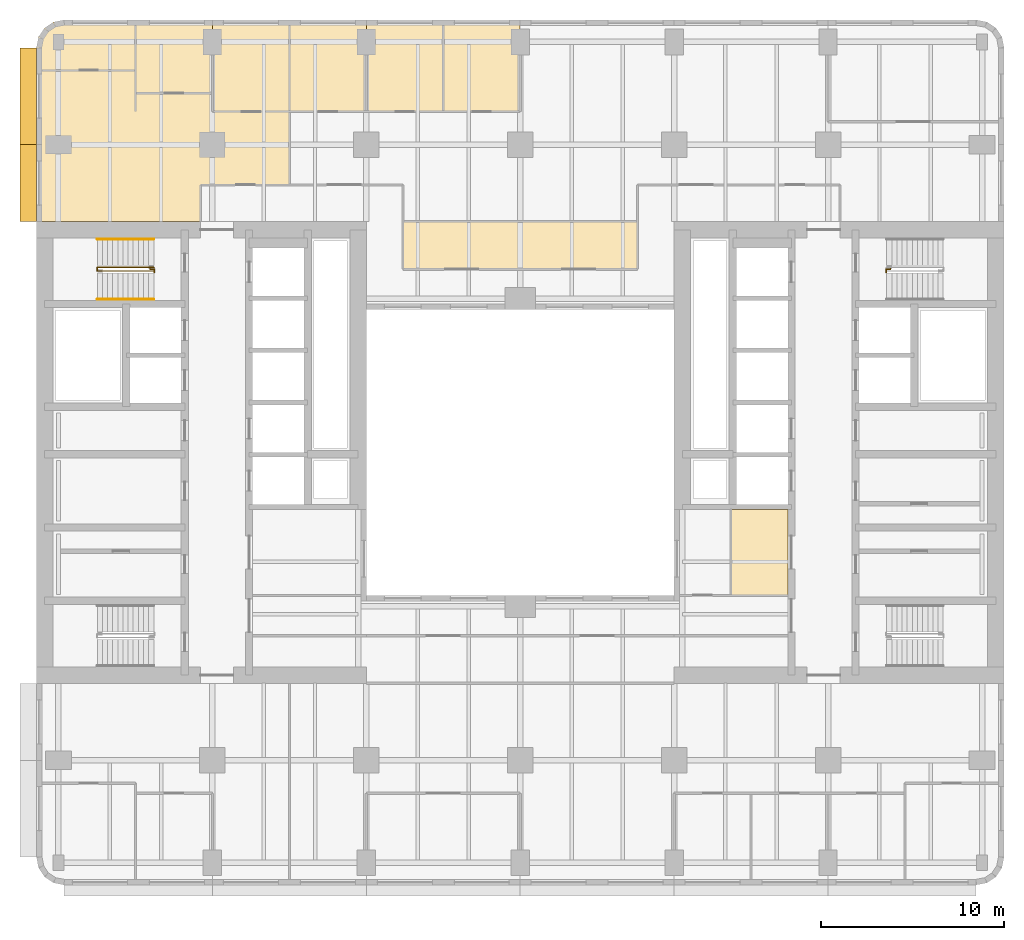
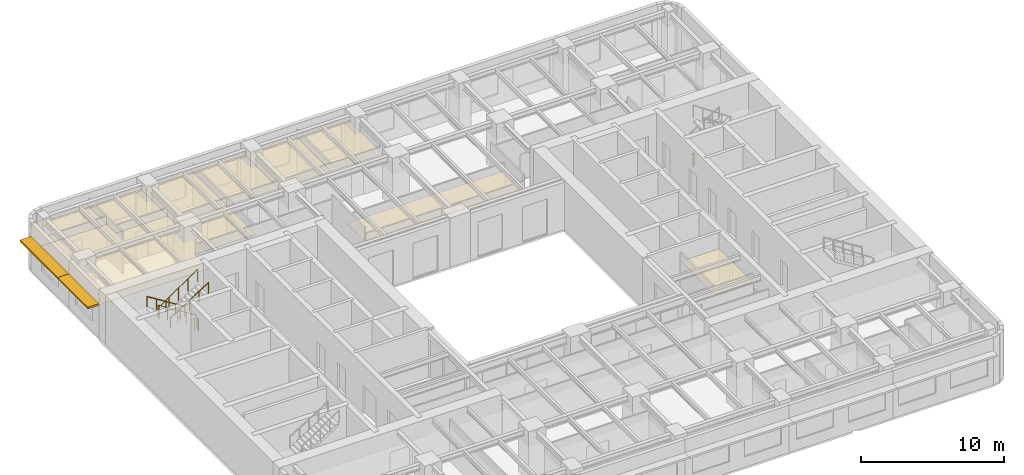
# One storey, part 10 of 11: 9 coverings, 5 railings, 2 shading devices.
"""IFC4 building model written with IfcOpenShell, lengths in metres."""

from ifc_helpers import new_model, si_unit, direction, frame, origin, origin_2d, place, context, subcontext, project, spatial, polyline, rectangle, circle, outline, extrude, material, layer, layer_set, type_object, element, save


model = new_model("IFC4")

# Units and contexts
model_context = context("Model", 3, precision=1e-05, world=origin(), true_north=direction((0.0, 1.0)))
body_context = subcontext(model_context, "Body", "Model", "MODEL_VIEW")
ifc_project = project(units=[si_unit("LENGTHUNIT", "METRE"), si_unit("AREAUNIT", "SQUARE_METRE"), si_unit("VOLUMEUNIT", "CUBIC_METRE"), si_unit("PLANEANGLEUNIT", "RADIAN"), si_unit("MASSUNIT", "GRAM", prefix="KILO")], contexts=[model_context])

# Site, building, storey
site_placement = place(None, origin())
site = spatial("IfcSite", under=ifc_project, at=site_placement, CompositionType="ELEMENT")
building_placement = place(site_placement, origin())
building = spatial("IfcBuilding", under=site, at=building_placement, Name="Claustro Exchange Tower", CompositionType="ELEMENT")
storey_placement = place(building_placement, frame((0.0, 0.0, 126.0)))
storey = spatial("IfcBuildingStorey", under=building, at=storey_placement, Name="L28", CompositionType="ELEMENT", Elevation=126.0)

# Coverings
ifc_material_1 = material(Name="Perforated metal ceiling tiles", Category="steel")
ifc_layer_1 = layer(ifc_material_1, 0.030029296875)
ifc_layer_set_1 = layer_set([ifc_layer_1], Name="Perforated metal ceiling tiles")
covering_type_1 = type_object("IfcCoveringType", Name="CL1 suspended metal ceiling", PredefinedType="CEILING", material=ifc_layer_set_1)
covering_1_placement = place(storey_placement, frame((0.0, 0.0, 2.800048828125)))
element("IfcCovering", 1, at=covering_1_placement, inside=storey, type_object=covering_type_1, Name="Ceiling CL1 L28-17", PredefinedType="CEILING", context=body_context, shape_type="SweptSolid", body=[
    extrude(outline(polyline([(-1.199951171875, 46.050048828125), (-1.199951171875, 37.800048828125), (7.75, 37.800048828125), (7.75, 39.800048828125), (12.60009765625, 39.800048828125), (12.60009765625, 43.800048828125), (8.39990234375, 43.800048828125), (8.39990234375, 44.800048828125), (4.199951171875, 44.800048828125), (4.199951171875, 46.050048828125), (-1.199951171875, 46.050048828125)])), origin(), (0.0, 0.0, 1.0), 0.030029296875),
])
ifc_material_2 = material(Name="Gypsum board ceiling", Category="gypsum board")
ifc_layer_2 = layer(ifc_material_2, 0.02490234375)
ifc_layer_set_2 = layer_set([ifc_layer_2], Name="Gypsum board ceiling")
covering_type_2 = type_object("IfcCoveringType", Name="CL2 plasterboard ceiling", PredefinedType="CEILING", material=ifc_layer_set_2)
covering_2_placement = place(storey_placement, frame((0.0, 0.0, 2.800048828125)))
element("IfcCovering", 2, at=covering_2_placement, inside=storey, type_object=covering_type_2, Name="Ceiling CL2 L28-14", PredefinedType="CEILING", context=body_context, shape_type="SweptSolid", body=[
    extrude(outline(polyline([(39.800048828125, 17.39990234375), (39.800048828125, 22.10009765625), (36.699951171875, 22.10009765625), (36.699951171875, 17.39990234375), (39.800048828125, 17.39990234375)])), origin(), (0.0, 0.0, 1.0), 0.02490234375),
])
covering_3_placement = place(storey_placement, frame((0.0, 0.0, 2.800048828125)))
element("IfcCovering", 3, at=covering_3_placement, inside=storey, type_object=covering_type_2, Name="Ceiling CL2 L28-15", PredefinedType="CEILING", context=body_context, shape_type="SweptSolid", body=[
    extrude(outline(polyline([(18.800048828125, 35.199951171875), (31.60009765625, 35.199951171875), (31.60009765625, 37.800048828125), (18.800048828125, 37.800048828125), (18.800048828125, 35.199951171875)])), origin(), (0.0, 0.0, 1.0), 0.02490234375),
])
covering_4_placement = place(storey_placement, frame((0.0, 0.0, 2.800048828125)))
element("IfcCovering", 4, at=covering_4_placement, inside=storey, type_object=covering_type_2, Name="Ceiling CL2 L28-20", PredefinedType="CEILING", context=body_context, shape_type="SweptSolid", body=[
    extrude(outline(polyline([(12.60009765625, 48.800048828125), (8.39990234375, 48.800048828125), (8.39990234375, 43.800048828125), (12.60009765625, 43.800048828125), (12.60009765625, 48.800048828125)])), origin(), (0.0, 0.0, 1.0), 0.02490234375),
])
covering_5_placement = place(storey_placement, frame((0.0, 0.0, 2.800048828125)))
element("IfcCovering", 5, at=covering_5_placement, inside=storey, type_object=covering_type_2, Name="Ceiling CL2 L28-21", PredefinedType="CEILING", context=body_context, shape_type="SweptSolid", body=[
    extrude(outline(polyline([(16.800048828125, 48.800048828125), (12.60009765625, 48.800048828125), (12.60009765625, 43.800048828125), (16.800048828125, 43.800048828125), (16.800048828125, 48.800048828125)])), origin(), (0.0, 0.0, 1.0), 0.02490234375),
])
covering_6_placement = place(storey_placement, frame((0.0, 0.0, 2.800048828125)))
element("IfcCovering", 6, at=covering_6_placement, inside=storey, type_object=covering_type_2, Name="Ceiling CL2 L28-22", PredefinedType="CEILING", context=body_context, shape_type="SweptSolid", body=[
    extrude(outline(polyline([(21.0, 48.800048828125), (16.800048828125, 48.800048828125), (16.800048828125, 43.800048828125), (21.0, 43.800048828125), (21.0, 48.800048828125)])), origin(), (0.0, 0.0, 1.0), 0.02490234375),
])
covering_7_placement = place(storey_placement, frame((0.0, 0.0, 2.800048828125)))
element("IfcCovering", 7, at=covering_7_placement, inside=storey, type_object=covering_type_2, Name="Ceiling CL2 L28-23", PredefinedType="CEILING", context=body_context, shape_type="SweptSolid", body=[
    extrude(outline(polyline([(25.199951171875, 48.800048828125), (21.0, 48.800048828125), (21.0, 43.800048828125), (25.199951171875, 43.800048828125), (25.199951171875, 48.800048828125)])), origin(), (0.0, 0.0, 1.0), 0.02490234375),
])
covering_8_placement = place(storey_placement, frame((0.0, 0.0, 2.800048828125)))
element("IfcCovering", 8, at=covering_8_placement, inside=storey, type_object=covering_type_2, Name="Ceiling CL2 L28-24", PredefinedType="CEILING", context=body_context, shape_type="SweptSolid", body=[
    extrude(outline(polyline([(8.39990234375, 48.800048828125), (4.199951171875, 48.800048828125), (4.199951171875, 44.800048828125), (8.39990234375, 44.800048828125), (8.39990234375, 48.800048828125)])), origin(), (0.0, 0.0, 1.0), 0.02490234375),
])
covering_9_placement = place(storey_placement, frame((0.0, 0.0, 2.800048828125)))
element("IfcCovering", 9, at=covering_9_placement, inside=storey, type_object=covering_type_2, Name="Ceiling CL2 L28-25", PredefinedType="CEILING", context=body_context, shape_type="SweptSolid", body=[
    extrude(outline(polyline([(-1.199951171875, 47.300048828125), (-1.199951171875, 46.050048828125), (4.199951171875, 46.050048828125), (4.199951171875, 48.800048828125), (0.300048828125, 48.800048828125), (-0.27392578125, 48.685791015625), (-0.7607421875, 48.360595703125), (-1.085693359375, 47.8740234375), (-1.199951171875, 47.300048828125)])), origin(), (0.0, 0.0, 1.0), 0.02490234375),
])

# Railings
ifc_material_3 = material(Name="Steel balustrade, painted", Category="steel")
railing_type_1 = type_object("IfcRailingType", Name="GR2 1100 steel stair guard", PredefinedType="GUARDRAIL", material=ifc_material_3)
railing_1_placement = place(storey_placement, frame((5.199951171875, 35.300048828125, 0.175048828125)))
element("IfcRailing", 10, at=railing_1_placement, inside=storey, type_object=railing_type_1, Name="Stair well guard GR2 stair STWB L28", PredefinedType="GUARDRAIL", context=body_context, shape_type="SweptSolid", body=[
    extrude(circle(Radius=0.02392578125, at=origin_2d()), frame((0.0, 0.0, 1.076171875), z_axis=(-0.847979421464, 0.0, 0.530029150871), x_axis=(0.0, -1.0, 0.0)), (0.0, 0.0, 1.0), 3.632080078125),
    extrude(circle(Radius=0.02392578125, at=origin_2d()), frame((-3.079833984375, 0.0, 3.0009765625), z_axis=(0.0, -1.0, 0.0), x_axis=(1.0, 0.0, 0.0)), (0.0, 0.0, 1.0), 0.199951171875),
    extrude(circle(Radius=0.02392578125, at=origin_2d()), frame((-3.079833984375, -0.199951171875, 3.0009765625), z_axis=(0.826231499792, 0.0, 0.563330727682), x_axis=(0.0, 1.0, 0.0)), (0.0, 0.0, 1.0), 3.7275390625),
    extrude(circle(Radius=0.02099609375, at=origin_2d()), origin(), (0.0, 0.0, 1.0), 1.052001953125),
    extrude(circle(Radius=0.02099609375, at=origin_2d()), frame((-0.77001953125, 0.0, 0.481201171875)), (0.0, 0.0, 1.0), 1.052001953125),
    extrude(circle(Radius=0.02099609375, at=origin_2d()), frame((-1.5400390625, 0.0, 0.96240234375)), (0.0, 0.0, 1.0), 1.052001953125),
    extrude(circle(Radius=0.02099609375, at=origin_2d()), frame((-2.309814453125, 0.0, 1.44384765625)), (0.0, 0.0, 1.0), 1.052001953125),
    extrude(circle(Radius=0.02099609375, at=origin_2d()), frame((-3.079833984375, 0.0, 1.925048828125)), (0.0, 0.0, 1.0), 1.052001953125),
    extrude(circle(Radius=0.02099609375, at=origin_2d()), frame((-3.079833984375, -0.199951171875, 1.925048828125)), (0.0, 0.0, 1.0), 1.052001953125),
    extrude(circle(Radius=0.02099609375, at=origin_2d()), frame((-2.309814453125, -0.199951171875, 2.449951171875)), (0.0, 0.0, 1.0), 1.052001953125),
    extrude(circle(Radius=0.02099609375, at=origin_2d()), frame((-1.5400390625, -0.199951171875, 2.97509765625)), (0.0, 0.0, 1.0), 1.052001953125),
    extrude(circle(Radius=0.02099609375, at=origin_2d()), frame((-0.77001953125, -0.199951171875, 3.5)), (0.0, 0.0, 1.0), 1.052001953125),
    extrude(circle(Radius=0.02099609375, at=origin_2d()), frame((0.0, -0.199951171875, 4.02490234375)), (0.0, 0.0, 1.0), 1.052001953125),
])
railing_2_placement = place(storey_placement, frame((5.0, 35.22998046875, 0.0)))
element("IfcRailing", 11, at=railing_2_placement, inside=storey, type_object=railing_type_1, Name="Stair guard GR2 STWB L28", PredefinedType="GUARDRAIL", context=body_context, shape_type="SweptSolid", body=[
    extrude(circle(Radius=0.02392578125, at=origin_2d()), frame((0.0, 0.0, 1.076171875), z_axis=(0.0, -1.0, 0.0), x_axis=(1.0, 0.0, 0.0)), (0.0, 0.0, 1.0), 0.030029296875),
    extrude(circle(Radius=0.02392578125, at=origin_2d()), frame((0.0, -0.030029296875, 1.076171875), z_axis=(1.0, 0.0, 0.0), x_axis=(0.0, 1.0, 0.0)), (0.0, 0.0, 1.0), 0.22509765625),
    extrude(circle(Radius=0.02392578125, at=origin_2d()), frame((0.22509765625, -0.030029296875, 1.076171875), z_axis=(0.0, -1.0, 0.0), x_axis=(1.0, 0.0, 0.0)), (0.0, 0.0, 1.0), 0.179931640625),
    extrude(circle(Radius=0.02099609375, at=origin_2d()), origin(), (0.0, 0.0, 1.0), 1.052001953125),
    extrude(circle(Radius=0.02099609375, at=origin_2d()), frame((0.0, -0.030029296875, 0.0)), (0.0, 0.0, 1.0), 1.052001953125),
    extrude(circle(Radius=0.02099609375, at=origin_2d()), frame((0.22509765625, -0.030029296875, 0.0)), (0.0, 0.0, 1.0), 1.052001953125),
    extrude(circle(Radius=0.02099609375, at=origin_2d()), frame((0.22509765625, -0.2099609375, 0.0)), (0.0, 0.0, 1.0), 1.052001953125),
])
railing_3_placement = place(storey_placement, frame((45.39990234375, 35.22998046875, 0.0)))
element("IfcRailing", 12, at=railing_3_placement, inside=storey, type_object=railing_type_1, Name="Stair guard GR2 STEB L28", PredefinedType="GUARDRAIL", context=body_context, shape_type="SweptSolid", body=[
    extrude(circle(Radius=0.02392578125, at=origin_2d()), frame((0.0, 0.0, 1.076171875), z_axis=(0.0, -1.0, 0.0), x_axis=(1.0, 0.0, 0.0)), (0.0, 0.0, 1.0), 0.030029296875),
    extrude(circle(Radius=0.02392578125, at=origin_2d()), frame((0.0, -0.030029296875, 1.076171875), z_axis=(-1.0, 0.0, 0.0), x_axis=(0.0, -1.0, 0.0)), (0.0, 0.0, 1.0), 0.224853515625),
    extrude(circle(Radius=0.02392578125, at=origin_2d()), frame((-0.224853515625, -0.030029296875, 1.076171875), z_axis=(0.0, -1.0, 0.0), x_axis=(1.0, 0.0, 0.0)), (0.0, 0.0, 1.0), 0.179931640625),
    extrude(circle(Radius=0.02099609375, at=origin_2d()), origin(), (0.0, 0.0, 1.0), 1.052001953125),
    extrude(circle(Radius=0.02099609375, at=origin_2d()), frame((0.0, -0.030029296875, 0.0)), (0.0, 0.0, 1.0), 1.052001953125),
    extrude(circle(Radius=0.02099609375, at=origin_2d()), frame((-0.224853515625, -0.030029296875, 0.0)), (0.0, 0.0, 1.0), 1.052001953125),
    extrude(circle(Radius=0.02099609375, at=origin_2d()), frame((-0.224853515625, -0.2099609375, 0.0)), (0.0, 0.0, 1.0), 1.052001953125),
])
ifc_material_4 = material(Name="Stainless steel tube", Category="steel")
railing_type_2 = type_object("IfcRailingType", Name="HR1 900 stair handrail", PredefinedType="HANDRAIL", material=ifc_material_4)
railing_4_placement = place(storey_placement, frame((5.199951171875, 36.840087890625, 0.175048828125)))
element("IfcRailing", 13, at=railing_4_placement, inside=storey, type_object=railing_type_2, Name="Handrail HR1 stair STWB L28", PredefinedType="HANDRAIL", context=body_context, shape_type="SweptSolid", body=[
    extrude(circle(Radius=0.02392578125, at=origin_2d()), frame((0.0, 0.0, 0.8759765625), z_axis=(-0.847979421464, 0.0, 0.530029150871), x_axis=(0.0, -1.0, 0.0)), (0.0, 0.0, 1.0), 3.632080078125),
    extrude(circle(Radius=0.02099609375, at=origin_2d()), origin(), (0.0, 0.0, 1.0), 0.851806640625),
    extrude(circle(Radius=0.02099609375, at=origin_2d()), frame((-0.77001953125, 0.0, 0.481201171875)), (0.0, 0.0, 1.0), 0.851806640625),
    extrude(circle(Radius=0.02099609375, at=origin_2d()), frame((-1.5400390625, 0.0, 0.96240234375)), (0.0, 0.0, 1.0), 0.851806640625),
    extrude(circle(Radius=0.02099609375, at=origin_2d()), frame((-2.309814453125, 0.0, 1.44384765625)), (0.0, 0.0, 1.0), 0.851806640625),
    extrude(circle(Radius=0.02099609375, at=origin_2d()), frame((-3.079833984375, 0.0, 1.925048828125)), (0.0, 0.0, 1.0), 0.851806640625),
])
railing_5_placement = place(storey_placement, frame((2.1201171875, 33.56005859375, 2.27490234375)))
element("IfcRailing", 14, at=railing_5_placement, inside=storey, type_object=railing_type_2, Name="Handrail HR1 stair STWB L28", PredefinedType="HANDRAIL", context=body_context, shape_type="SweptSolid", body=[
    extrude(circle(Radius=0.02392578125, at=origin_2d()), frame((0.0, 0.0, 0.8759765625), z_axis=(0.847979421464, 0.0, 0.530029150871), x_axis=(0.0, 1.0, 0.0)), (0.0, 0.0, 1.0), 3.632080078125),
    extrude(circle(Radius=0.02099609375, at=origin_2d()), origin(), (0.0, 0.0, 1.0), 0.851806640625),
    extrude(circle(Radius=0.02099609375, at=origin_2d()), frame((0.77001953125, 0.0, 0.481201171875)), (0.0, 0.0, 1.0), 0.851806640625),
    extrude(circle(Radius=0.02099609375, at=origin_2d()), frame((1.5400390625, 0.0, 0.96240234375)), (0.0, 0.0, 1.0), 0.851806640625),
    extrude(circle(Radius=0.02099609375, at=origin_2d()), frame((2.309814453125, 0.0, 1.44384765625)), (0.0, 0.0, 1.0), 0.851806640625),
    extrude(circle(Radius=0.02099609375, at=origin_2d()), frame((3.079833984375, 0.0, 1.925048828125)), (0.0, 0.0, 1.0), 0.851806640625),
])

# Shading devices
ifc_material_5 = material(Name="Concrete HA-40 (C40/50), precast, white cement, acid-etched", Category="concrete")
ifc_layer_3 = layer(ifc_material_5, 0.14990234375)
ifc_layer_set_3 = layer_set([ifc_layer_3], Name="Concrete HA-40 (C40/50), precast, white cement, acid-etched")
shading_device_type = type_object("IfcShadingDeviceType", Name="SS2 900 precast concrete SUNSHADE", PredefinedType="SHUTTER", material=ifc_layer_set_3)
shading_device_1_placement = place(storey_placement, frame((-1.64990234375, 39.89990234375, 2.800048828125), z_axis=(0.0, 0.0, 1.0), x_axis=(0.0, 1.0, 0.0)))
element("IfcShadingDevice", 15, at=shading_device_1_placement, inside=storey, type_object=shading_device_type, Name="Precast SUNSHADE SS2 L28", PredefinedType="SHUTTER", context=body_context, shape_type="SweptSolid", body=[
    extrude(rectangle(XDim=4.199951171875, YDim=0.89990234375, at=origin_2d()), origin(), (0.0, 0.0, 1.0), 0.14990234375),
])
shading_device_2_placement = place(storey_placement, frame((-1.64990234375, 44.642578125, 2.800048828125), z_axis=(0.0, 0.0, 1.0), x_axis=(0.0, 1.0, 0.0)))
element("IfcShadingDevice", 16, at=shading_device_2_placement, inside=storey, type_object=shading_device_type, Name="Precast SUNSHADE SS2 L28", PredefinedType="SHUTTER", context=body_context, shape_type="SweptSolid", body=[
    extrude(rectangle(XDim=5.28515625, YDim=0.89990234375, at=origin_2d()), origin(), (0.0, 0.0, 1.0), 0.14990234375),
])

save(model, "model.ifc")
